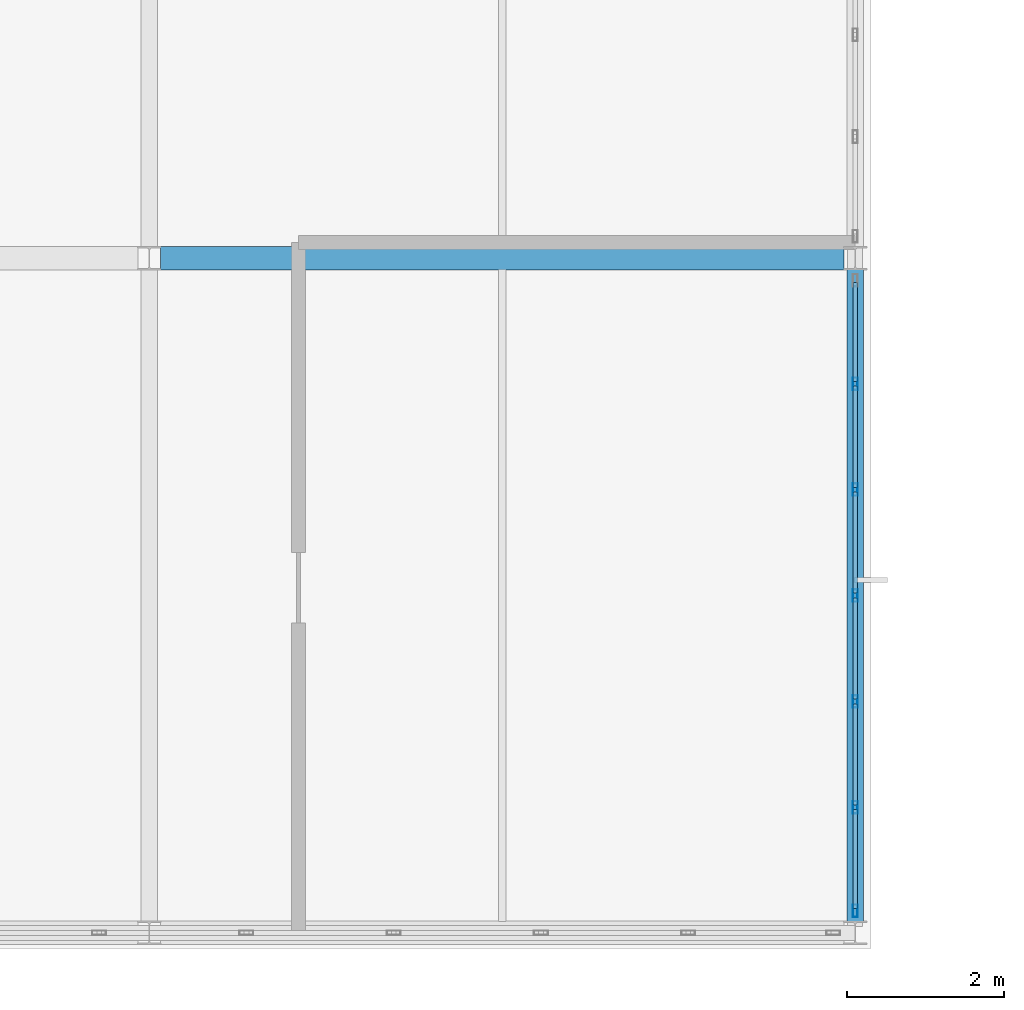
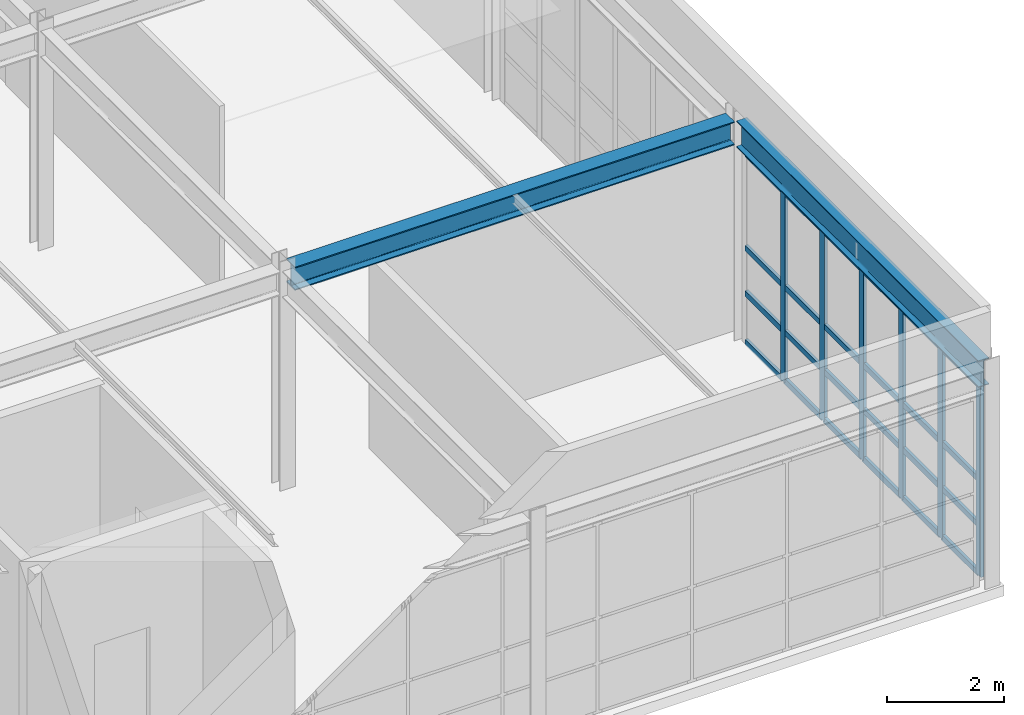
# One storey, part 22 of 38: 30 members, 2 beams, 1 element without a shape of its own.
"""IFC4 building model written with IfcOpenShell, lengths in metres."""

import ifcopenshell
import ifcopenshell.guid

model = None  # the IFC model being written
_history = None  # IfcOwnerHistory: only IFC2X3 demands one
_inside = {}  # id of a spatial element -> (the spatial element, [elements in it])
_under = {}  # id of a project, library or spatial element -> (it, [spatial elements below it])
_declared = {}  # id of a project -> (the project, [libraries it declares])
_typed = {}  # id of a type object -> (the type object, [elements of that type])
_made_of = {}  # id of a material, layer set ... -> (it, [elements and type objects made of it])


def new_model(schema):
    """Start an empty IFC model of exactly this schema.

    Asked for "IFC4X3", IfcOpenShell would pick the latest addendum, in which some entities
    have other attributes; the version numbers below select the first issue.
    IFC2X3 requires an IfcOwnerHistory on every rooted entity: one is made here for all.
    """
    global model, _history
    if schema == "IFC4X3":
        model = ifcopenshell.file(schema_version=(4, 3, 0, 0))
    else:
        model = ifcopenshell.file(schema=schema)
    _inside.clear()
    _under.clear()
    _declared.clear()
    _typed.clear()
    _made_of.clear()
    _history = None
    if model.schema == "IFC2X3":
        org = make("IfcOrganization", Name="unknown")
        user = make(
            "IfcPersonAndOrganization",
            ThePerson=make("IfcPerson", FamilyName="unknown"),
            TheOrganization=org,
        )
        app = make(
            "IfcApplication",
            ApplicationDeveloper=org,
            Version="unknown",
            ApplicationFullName="unknown",
            ApplicationIdentifier="unknown",
        )
        _history = make(
            "IfcOwnerHistory",
            OwningUser=user,
            OwningApplication=app,
            ChangeAction="ADDED",
            CreationDate=0,
        )
    return model


def make(cls, **values):
    """One entity of the class cls with the attributes given. An attribute that is None is left unset."""
    return model.create_entity(
        cls, **{name: value for name, value in values.items() if value is not None}
    )


def rooted(cls, **values):
    """An entity with a GlobalId (a new one), such as an element, a storey or a relation."""
    return make(cls, GlobalId=ifcopenshell.guid.new(), OwnerHistory=_history, **values)


def si_unit(unit_type, name, prefix=None):
    """IfcSIUnit, for example si_unit("LENGTHUNIT", "METRE", prefix="MILLI")."""
    return make("IfcSIUnit", UnitType=unit_type, Prefix=prefix, Name=name)


def assignment(units):
    """IfcUnitAssignment: the units of a project."""
    return None if units is None else make("IfcUnitAssignment", Units=units)


def point(xyz):
    """IfcCartesianPoint."""
    return None if xyz is None else make("IfcCartesianPoint", Coordinates=xyz)


def direction(xyz):
    """IfcDirection."""
    return None if xyz is None else make("IfcDirection", DirectionRatios=xyz)


def frame(location, z_axis=None, x_axis=None):
    """IfcAxis2Placement3D, a coordinate frame: its origin and axes. An axis left out is left unset."""
    return make(
        "IfcAxis2Placement3D",
        Location=point(location),
        Axis=direction(z_axis),
        RefDirection=direction(x_axis),
    )


def frame_2d(location, x_axis=None):
    """IfcAxis2Placement2D, a coordinate frame in the plane: its origin and x axis."""
    return make(
        "IfcAxis2Placement2D", Location=point(location), RefDirection=direction(x_axis)
    )


def origin():
    """The frame at (0, 0, 0) with its axes left unset."""
    return frame((0.0, 0.0, 0.0))


def origin_2d():
    """The frame at (0, 0) in the plane with its x axis left unset."""
    return frame_2d((0.0, 0.0))


def place(relative_to, where):
    """IfcLocalPlacement: puts the frame where relative to a parent placement (None: the world)."""
    return make(
        "IfcLocalPlacement", PlacementRelTo=relative_to, RelativePlacement=where
    )


def context(
    kind, dimensions, precision=None, world=None, true_north=None, identifier=None
):
    """IfcGeometricRepresentationContext, for example the 3D "Model" context."""
    return make(
        "IfcGeometricRepresentationContext",
        ContextIdentifier=identifier,
        ContextType=kind,
        CoordinateSpaceDimension=dimensions,
        Precision=precision,
        WorldCoordinateSystem=world,
        TrueNorth=true_north,
    )


def subcontext(parent, identifier, kind, view, scale=None):
    """IfcGeometricRepresentationSubContext, for example "Body" below "Model"."""
    return make(
        "IfcGeometricRepresentationSubContext",
        ContextIdentifier=identifier,
        ContextType=kind,
        ParentContext=parent,
        TargetScale=scale,
        TargetView=view,
    )


def project(units=None, contexts=None):
    """IfcProject with its units and contexts."""
    return rooted(
        "IfcProject",
        Name="project",
        RepresentationContexts=contexts,
        UnitsInContext=assignment(units),
    )


def spatial(cls, under=None, at=None, **own):
    """A site, building, storey or space (cls), placed at a placement, below another one or the project."""
    s = rooted(cls, ObjectPlacement=at, **own)
    if under is not None:
        _under.setdefault(under.id(), (under, []))[1].append(s)
    return s


def profile(cls, at=None, kind="AREA", **sizes):
    """A parametric profile (cls). Its sizes go by their IFC names, for example OverallWidth=200.0."""
    return make(cls, ProfileType=kind, Position=at, **sizes)


def hollow_rectangle(**sizes):
    """IfcRectangleHollowProfileDef."""
    return profile("IfcRectangleHollowProfileDef", **sizes)


def i_section(**sizes):
    """IfcIShapeProfileDef."""
    return profile("IfcIShapeProfileDef", **sizes)


def extrude(swept, where, along, depth):
    """IfcExtrudedAreaSolid: the profile swept, set in the frame where, extruded along a direction by depth."""
    return make(
        "IfcExtrudedAreaSolid",
        SweptArea=swept,
        Position=where,
        ExtrudedDirection=direction(along),
        Depth=depth,
    )


def shape(context_of_items, identifier, shape_type, items):
    """IfcShapeRepresentation: the items that make up one representation, for example the "Body"."""
    return make(
        "IfcShapeRepresentation",
        ContextOfItems=context_of_items,
        RepresentationIdentifier=identifier,
        RepresentationType=shape_type,
        Items=items,
    )


def material(Name=None, Category=None):
    """IfcMaterial."""
    return make("IfcMaterial", Name=Name, Category=Category)


def material_profile(
    of_material, cross_section, Name=None, Category=None, Priority=None
):
    """IfcMaterialProfile: a cross section and its material."""
    return make(
        "IfcMaterialProfile",
        Name=Name,
        Material=of_material,
        Profile=cross_section,
        Priority=Priority,
        Category=Category,
    )


def profile_set(profiles, Name=None, composite=None):
    """IfcMaterialProfileSet."""
    return make(
        "IfcMaterialProfileSet",
        Name=Name,
        MaterialProfiles=profiles,
        CompositeProfile=composite,
    )


def made_of(thing, what):
    """Note that an element or type object is made of a material, layer set ...; save() writes the relation."""
    if what is not None:
        _made_of.setdefault(what.id(), (what, []))[1].append(thing)
    return thing


def type_object(cls, material=None, **own):
    """A type object (cls), such as IfcWallType, which elements share."""
    return made_of(rooted(cls, **own), material)


def element(
    cls,
    number,
    at=None,
    inside=None,
    cuts=None,
    type_object=None,
    material=None,
    context=None,
    identifier="Body",
    shape_type=None,
    held_by="IfcProductDefinitionShape",
    body=None,
    shapes=None,
    **own,
):
    """One element of the class cls, such as IfcWall. Its Tag is "e" and its number.

    at: its placement. inside: the storey or other place that contains it. cuts: it is an
    opening in that element (IfcRelVoidsElement). A single representation is given by context,
    identifier, shape_type and body (its items); several are given by shapes. held_by: the class
    of the entity that holds the representations. save() writes the other relations.
    """
    e = rooted(cls, Tag="e%d" % number, ObjectPlacement=at, **own)
    if body is not None:
        shapes = [shape(context, identifier, shape_type, body)]
    if shapes is not None:
        e.Representation = make(held_by, Representations=shapes)
    if inside is not None:
        _inside.setdefault(inside.id(), (inside, []))[1].append(e)
    if cuts is not None:
        rooted(
            "IfcRelVoidsElement", RelatingBuildingElement=cuts, RelatedOpeningElement=e
        )
    if type_object is not None:
        _typed.setdefault(type_object.id(), (type_object, []))[1].append(e)
    return made_of(e, material)


def aggregate(whole, parts):
    """IfcRelAggregates: a whole, such as a stair, and the parts it consists of."""
    return rooted("IfcRelAggregates", RelatingObject=whole, RelatedObjects=parts)


def save(model, path):
    """Write the relations noted so far, then the file.

    IfcRelAggregates (storeys below a building ...), IfcRelContainedInSpatialStructure (elements
    in a storey), IfcRelDefinesByType, IfcRelAssociatesMaterial and IfcRelDeclares: one each for
    every whole, place, type object, material and project.
    """
    for whole, parts in _under.values():
        aggregate(whole, parts)
    for where, things in _inside.values():
        rooted(
            "IfcRelContainedInSpatialStructure",
            RelatedElements=things,
            RelatingStructure=where,
        )
    for kind, things in _typed.values():
        rooted("IfcRelDefinesByType", RelatedObjects=things, RelatingType=kind)
    for what, things in _made_of.values():
        rooted("IfcRelAssociatesMaterial", RelatedObjects=things, RelatingMaterial=what)
    for by, libraries in _declared.values():
        rooted("IfcRelDeclares", RelatingContext=by, RelatedDefinitions=libraries)
    model.write(path)


model = new_model("IFC4")

# Units and contexts
model_context = context("Model", 3, precision=1e-05, world=origin(), true_north=direction((0.0, 1.0)))
body_context = subcontext(model_context, "Body", "Model", "MODEL_VIEW")
ifc_project = project(units=[si_unit("LENGTHUNIT", "METRE"), si_unit("AREAUNIT", "SQUARE_METRE"), si_unit("VOLUMEUNIT", "CUBIC_METRE"), si_unit("PLANEANGLEUNIT", "RADIAN"), si_unit("MASSUNIT", "GRAM", prefix="KILO")], contexts=[model_context])

# Site, building, storey
site_placement = place(None, origin())
site = spatial("IfcSite", under=ifc_project, at=site_placement, CompositionType="ELEMENT")
building_placement = place(site_placement, origin())
building = spatial("IfcBuilding", under=site, at=building_placement, Name="Kaldris Quays Convention Centre", CompositionType="ELEMENT")
storey_placement = place(building_placement, frame((0.0, 0.0, 21.60009765625)))
storey = spatial("IfcBuildingStorey", under=building, at=storey_placement, Name="L04", CompositionType="ELEMENT", Elevation=21.60009765625)

# Curtain wall, members
ifc_material_1 = material(Name="Anodized aluminium AW-6060 and triple glazing", Category="aluminium")
curtain_wall_type = type_object("IfcCurtainWallType", Name="UNITISED CURTAIN WALL CW04", PredefinedType="NOTDEFINED", material=ifc_material_1)
curtain_wall_placement = place(storey_placement, origin())
curtain_wall = element("IfcCurtainWall", 1, at=curtain_wall_placement, inside=storey, type_object=curtain_wall_type, Name="L04 Unitised Curtain Wall CW04 149", PredefinedType="NOTDEFINED")
ifc_material_2 = material(Name="Anodized aluminium AW-6060", Category="aluminium")
ifc_material_profile_1 = material_profile(ifc_material_2, hollow_rectangle(XDim=0.06005859375, YDim=0.159912109375, WallThickness=0.00390625, at=origin_2d()), Name="RHS 160x60x4")
ifc_profile_set_1 = profile_set([ifc_material_profile_1], Name="Anodized aluminium AW-6060")
member_type_1 = type_object("IfcMemberType", Name="CURTAIN MULLION CWM1", PredefinedType="MULLION", material=ifc_profile_set_1)
member_1_placement = place(storey_placement, frame((164.0, 38.280029296875, 0.0), z_axis=(0.0, 0.0, 1.0), x_axis=(-1.0, 0.0, 0.0)))
member_1 = element("IfcMember", 2, at=member_1_placement, type_object=member_type_1, Name="CW04 mullion 1", PredefinedType="MULLION", context=body_context, shape_type="SweptSolid", body=[
    extrude(hollow_rectangle(XDim=0.06005859375, YDim=0.159912109375, WallThickness=0.00390625, at=origin_2d()), origin(), (0.0, 0.0, 1.0), 4.0),
])
member_2_placement = place(storey_placement, frame((164.0, 39.60009765625, 0.0), z_axis=(0.0, 0.0, 1.0), x_axis=(-1.0, 0.0, 0.0)))
member_2 = element("IfcMember", 3, at=member_2_placement, type_object=member_type_1, Name="CW04 mullion 2", PredefinedType="MULLION", context=body_context, shape_type="SweptSolid", body=[
    extrude(hollow_rectangle(XDim=0.06005859375, YDim=0.159912109375, WallThickness=0.00390625, at=origin_2d()), origin(), (0.0, 0.0, 1.0), 4.0),
])
member_3_placement = place(storey_placement, frame((164.0, 40.949951171875, 0.0), z_axis=(0.0, 0.0, 1.0), x_axis=(-1.0, 0.0, 0.0)))
member_3 = element("IfcMember", 4, at=member_3_placement, type_object=member_type_1, Name="CW04 mullion 3", PredefinedType="MULLION", context=body_context, shape_type="SweptSolid", body=[
    extrude(hollow_rectangle(XDim=0.06005859375, YDim=0.159912109375, WallThickness=0.00390625, at=origin_2d()), origin(), (0.0, 0.0, 1.0), 4.0),
])
member_4_placement = place(storey_placement, frame((164.0, 42.300048828125, 0.0), z_axis=(0.0, 0.0, 1.0), x_axis=(-1.0, 0.0, 0.0)))
member_4 = element("IfcMember", 5, at=member_4_placement, type_object=member_type_1, Name="CW04 mullion 4", PredefinedType="MULLION", context=body_context, shape_type="SweptSolid", body=[
    extrude(hollow_rectangle(XDim=0.06005859375, YDim=0.159912109375, WallThickness=0.00390625, at=origin_2d()), origin(), (0.0, 0.0, 1.0), 4.0),
])
member_5_placement = place(storey_placement, frame((164.0, 43.64990234375, 0.0), z_axis=(0.0, 0.0, 1.0), x_axis=(-1.0, 0.0, 0.0)))
member_5 = element("IfcMember", 6, at=member_5_placement, type_object=member_type_1, Name="CW04 mullion 5", PredefinedType="MULLION", context=body_context, shape_type="SweptSolid", body=[
    extrude(hollow_rectangle(XDim=0.06005859375, YDim=0.159912109375, WallThickness=0.00390625, at=origin_2d()), origin(), (0.0, 0.0, 1.0), 4.0),
])
member_6_placement = place(storey_placement, frame((164.0, 45.0, 0.0), z_axis=(0.0, 0.0, 1.0), x_axis=(-1.0, 0.0, 0.0)))
member_6 = element("IfcMember", 7, at=member_6_placement, type_object=member_type_1, Name="CW04 mullion 6", PredefinedType="MULLION", context=body_context, shape_type="SweptSolid", body=[
    extrude(hollow_rectangle(XDim=0.06005859375, YDim=0.159912109375, WallThickness=0.00390625, at=origin_2d()), origin(), (0.0, 0.0, 1.0), 4.0),
])
ifc_material_profile_2 = material_profile(ifc_material_2, hollow_rectangle(XDim=0.06005859375, YDim=0.1201171875, WallThickness=0.00390625, at=origin_2d()), Name="RHS 120x60x4")
ifc_profile_set_2 = profile_set([ifc_material_profile_2], Name="Anodized aluminium AW-6060")
member_type_2 = type_object("IfcMemberType", Name="CURTAIN TRANSOM CWT1", PredefinedType="USERDEFINED", material=ifc_profile_set_2)
member_7_placement = place(storey_placement, frame((164.0, 38.31005859375, 0.02978515625), z_axis=(0.0, 1.0, 0.0), x_axis=(-1.0, 0.0, 0.0)))
member_7 = element("IfcMember", 8, at=member_7_placement, type_object=member_type_2, Name="CW04 transom 1.1", ObjectType="TRANSOM", PredefinedType="USERDEFINED", context=body_context, shape_type="SweptSolid", body=[
    extrude(hollow_rectangle(XDim=0.06005859375, YDim=0.1201171875, WallThickness=0.00390625, at=origin_2d()), origin(), (0.0, 0.0, 1.0), 1.260009765625),
])
member_8_placement = place(storey_placement, frame((164.0, 38.31005859375, 1.0498046875), z_axis=(0.0, 1.0, 0.0), x_axis=(-1.0, 0.0, 0.0)))
member_8 = element("IfcMember", 9, at=member_8_placement, type_object=member_type_2, Name="CW04 transom 1.2", ObjectType="TRANSOM", PredefinedType="USERDEFINED", context=body_context, shape_type="SweptSolid", body=[
    extrude(hollow_rectangle(XDim=0.06005859375, YDim=0.1201171875, WallThickness=0.00390625, at=origin_2d()), origin(), (0.0, 0.0, 1.0), 1.260009765625),
])
member_9_placement = place(storey_placement, frame((164.0, 38.31005859375, 2.0), z_axis=(0.0, 1.0, 0.0), x_axis=(-1.0, 0.0, 0.0)))
member_9 = element("IfcMember", 10, at=member_9_placement, type_object=member_type_2, Name="CW04 transom 1.3", ObjectType="TRANSOM", PredefinedType="USERDEFINED", context=body_context, shape_type="SweptSolid", body=[
    extrude(hollow_rectangle(XDim=0.06005859375, YDim=0.1201171875, WallThickness=0.00390625, at=origin_2d()), origin(), (0.0, 0.0, 1.0), 1.260009765625),
])
member_10_placement = place(storey_placement, frame((164.0, 38.31005859375, 3.969970703125), z_axis=(0.0, 1.0, 0.0), x_axis=(-1.0, 0.0, 0.0)))
member_10 = element("IfcMember", 11, at=member_10_placement, type_object=member_type_2, Name="CW04 transom 1.4", ObjectType="TRANSOM", PredefinedType="USERDEFINED", context=body_context, shape_type="SweptSolid", body=[
    extrude(hollow_rectangle(XDim=0.06005859375, YDim=0.1201171875, WallThickness=0.00390625, at=origin_2d()), origin(), (0.0, 0.0, 1.0), 1.260009765625),
])
member_11_placement = place(storey_placement, frame((164.0, 39.6298828125, 0.02978515625), z_axis=(0.0, 1.0, 0.0), x_axis=(-1.0, 0.0, 0.0)))
member_11 = element("IfcMember", 12, at=member_11_placement, type_object=member_type_2, Name="CW04 transom 2.1", ObjectType="TRANSOM", PredefinedType="USERDEFINED", context=body_context, shape_type="SweptSolid", body=[
    extrude(hollow_rectangle(XDim=0.06005859375, YDim=0.1201171875, WallThickness=0.00390625, at=origin_2d()), origin(), (0.0, 0.0, 1.0), 1.2900390625),
])
member_12_placement = place(storey_placement, frame((164.0, 39.6298828125, 1.0498046875), z_axis=(0.0, 1.0, 0.0), x_axis=(-1.0, 0.0, 0.0)))
member_12 = element("IfcMember", 13, at=member_12_placement, type_object=member_type_2, Name="CW04 transom 2.2", ObjectType="TRANSOM", PredefinedType="USERDEFINED", context=body_context, shape_type="SweptSolid", body=[
    extrude(hollow_rectangle(XDim=0.06005859375, YDim=0.1201171875, WallThickness=0.00390625, at=origin_2d()), origin(), (0.0, 0.0, 1.0), 1.2900390625),
])
member_13_placement = place(storey_placement, frame((164.0, 39.6298828125, 2.0), z_axis=(0.0, 1.0, 0.0), x_axis=(-1.0, 0.0, 0.0)))
member_13 = element("IfcMember", 14, at=member_13_placement, type_object=member_type_2, Name="CW04 transom 2.3", ObjectType="TRANSOM", PredefinedType="USERDEFINED", context=body_context, shape_type="SweptSolid", body=[
    extrude(hollow_rectangle(XDim=0.06005859375, YDim=0.1201171875, WallThickness=0.00390625, at=origin_2d()), origin(), (0.0, 0.0, 1.0), 1.2900390625),
])
member_14_placement = place(storey_placement, frame((164.0, 39.6298828125, 3.969970703125), z_axis=(0.0, 1.0, 0.0), x_axis=(-1.0, 0.0, 0.0)))
member_14 = element("IfcMember", 15, at=member_14_placement, type_object=member_type_2, Name="CW04 transom 2.4", ObjectType="TRANSOM", PredefinedType="USERDEFINED", context=body_context, shape_type="SweptSolid", body=[
    extrude(hollow_rectangle(XDim=0.06005859375, YDim=0.1201171875, WallThickness=0.00390625, at=origin_2d()), origin(), (0.0, 0.0, 1.0), 1.2900390625),
])
member_15_placement = place(storey_placement, frame((164.0, 40.97998046875, 0.02978515625), z_axis=(0.0, 1.0, 0.0), x_axis=(-1.0, 0.0, 0.0)))
member_15 = element("IfcMember", 16, at=member_15_placement, type_object=member_type_2, Name="CW04 transom 3.1", ObjectType="TRANSOM", PredefinedType="USERDEFINED", context=body_context, shape_type="SweptSolid", body=[
    extrude(hollow_rectangle(XDim=0.06005859375, YDim=0.1201171875, WallThickness=0.00390625, at=origin_2d()), origin(), (0.0, 0.0, 1.0), 1.2900390625),
])
member_16_placement = place(storey_placement, frame((164.0, 40.97998046875, 1.0498046875), z_axis=(0.0, 1.0, 0.0), x_axis=(-1.0, 0.0, 0.0)))
member_16 = element("IfcMember", 17, at=member_16_placement, type_object=member_type_2, Name="CW04 transom 3.2", ObjectType="TRANSOM", PredefinedType="USERDEFINED", context=body_context, shape_type="SweptSolid", body=[
    extrude(hollow_rectangle(XDim=0.06005859375, YDim=0.1201171875, WallThickness=0.00390625, at=origin_2d()), origin(), (0.0, 0.0, 1.0), 1.2900390625),
])
member_17_placement = place(storey_placement, frame((164.0, 40.97998046875, 2.0), z_axis=(0.0, 1.0, 0.0), x_axis=(-1.0, 0.0, 0.0)))
member_17 = element("IfcMember", 18, at=member_17_placement, type_object=member_type_2, Name="CW04 transom 3.3", ObjectType="TRANSOM", PredefinedType="USERDEFINED", context=body_context, shape_type="SweptSolid", body=[
    extrude(hollow_rectangle(XDim=0.06005859375, YDim=0.1201171875, WallThickness=0.00390625, at=origin_2d()), origin(), (0.0, 0.0, 1.0), 1.2900390625),
])
member_18_placement = place(storey_placement, frame((164.0, 40.97998046875, 3.969970703125), z_axis=(0.0, 1.0, 0.0), x_axis=(-1.0, 0.0, 0.0)))
member_18 = element("IfcMember", 19, at=member_18_placement, type_object=member_type_2, Name="CW04 transom 3.4", ObjectType="TRANSOM", PredefinedType="USERDEFINED", context=body_context, shape_type="SweptSolid", body=[
    extrude(hollow_rectangle(XDim=0.06005859375, YDim=0.1201171875, WallThickness=0.00390625, at=origin_2d()), origin(), (0.0, 0.0, 1.0), 1.2900390625),
])
member_19_placement = place(storey_placement, frame((164.0, 42.330078125, 0.02978515625), z_axis=(0.0, 1.0, 0.0), x_axis=(-1.0, 0.0, 0.0)))
member_19 = element("IfcMember", 20, at=member_19_placement, type_object=member_type_2, Name="CW04 transom 4.1", ObjectType="TRANSOM", PredefinedType="USERDEFINED", context=body_context, shape_type="SweptSolid", body=[
    extrude(hollow_rectangle(XDim=0.06005859375, YDim=0.1201171875, WallThickness=0.00390625, at=origin_2d()), origin(), (0.0, 0.0, 1.0), 1.2900390625),
])
member_20_placement = place(storey_placement, frame((164.0, 42.330078125, 1.0498046875), z_axis=(0.0, 1.0, 0.0), x_axis=(-1.0, 0.0, 0.0)))
member_20 = element("IfcMember", 21, at=member_20_placement, type_object=member_type_2, Name="CW04 transom 4.2", ObjectType="TRANSOM", PredefinedType="USERDEFINED", context=body_context, shape_type="SweptSolid", body=[
    extrude(hollow_rectangle(XDim=0.06005859375, YDim=0.1201171875, WallThickness=0.00390625, at=origin_2d()), origin(), (0.0, 0.0, 1.0), 1.2900390625),
])
member_21_placement = place(storey_placement, frame((164.0, 42.330078125, 2.0), z_axis=(0.0, 1.0, 0.0), x_axis=(-1.0, 0.0, 0.0)))
member_21 = element("IfcMember", 22, at=member_21_placement, type_object=member_type_2, Name="CW04 transom 4.3", ObjectType="TRANSOM", PredefinedType="USERDEFINED", context=body_context, shape_type="SweptSolid", body=[
    extrude(hollow_rectangle(XDim=0.06005859375, YDim=0.1201171875, WallThickness=0.00390625, at=origin_2d()), origin(), (0.0, 0.0, 1.0), 1.2900390625),
])
member_22_placement = place(storey_placement, frame((164.0, 42.330078125, 3.969970703125), z_axis=(0.0, 1.0, 0.0), x_axis=(-1.0, 0.0, 0.0)))
member_22 = element("IfcMember", 23, at=member_22_placement, type_object=member_type_2, Name="CW04 transom 4.4", ObjectType="TRANSOM", PredefinedType="USERDEFINED", context=body_context, shape_type="SweptSolid", body=[
    extrude(hollow_rectangle(XDim=0.06005859375, YDim=0.1201171875, WallThickness=0.00390625, at=origin_2d()), origin(), (0.0, 0.0, 1.0), 1.2900390625),
])
member_23_placement = place(storey_placement, frame((164.0, 43.679931640625, 0.02978515625), z_axis=(0.0, 1.0, 0.0), x_axis=(-1.0, 0.0, 0.0)))
member_23 = element("IfcMember", 24, at=member_23_placement, type_object=member_type_2, Name="CW04 transom 5.1", ObjectType="TRANSOM", PredefinedType="USERDEFINED", context=body_context, shape_type="SweptSolid", body=[
    extrude(hollow_rectangle(XDim=0.06005859375, YDim=0.1201171875, WallThickness=0.00390625, at=origin_2d()), origin(), (0.0, 0.0, 1.0), 1.2900390625),
])
member_24_placement = place(storey_placement, frame((164.0, 43.679931640625, 1.0498046875), z_axis=(0.0, 1.0, 0.0), x_axis=(-1.0, 0.0, 0.0)))
member_24 = element("IfcMember", 25, at=member_24_placement, type_object=member_type_2, Name="CW04 transom 5.2", ObjectType="TRANSOM", PredefinedType="USERDEFINED", context=body_context, shape_type="SweptSolid", body=[
    extrude(hollow_rectangle(XDim=0.06005859375, YDim=0.1201171875, WallThickness=0.00390625, at=origin_2d()), origin(), (0.0, 0.0, 1.0), 1.2900390625),
])
member_25_placement = place(storey_placement, frame((164.0, 43.679931640625, 2.0), z_axis=(0.0, 1.0, 0.0), x_axis=(-1.0, 0.0, 0.0)))
member_25 = element("IfcMember", 26, at=member_25_placement, type_object=member_type_2, Name="CW04 transom 5.3", ObjectType="TRANSOM", PredefinedType="USERDEFINED", context=body_context, shape_type="SweptSolid", body=[
    extrude(hollow_rectangle(XDim=0.06005859375, YDim=0.1201171875, WallThickness=0.00390625, at=origin_2d()), origin(), (0.0, 0.0, 1.0), 1.2900390625),
])
member_26_placement = place(storey_placement, frame((164.0, 43.679931640625, 3.969970703125), z_axis=(0.0, 1.0, 0.0), x_axis=(-1.0, 0.0, 0.0)))
member_26 = element("IfcMember", 27, at=member_26_placement, type_object=member_type_2, Name="CW04 transom 5.4", ObjectType="TRANSOM", PredefinedType="USERDEFINED", context=body_context, shape_type="SweptSolid", body=[
    extrude(hollow_rectangle(XDim=0.06005859375, YDim=0.1201171875, WallThickness=0.00390625, at=origin_2d()), origin(), (0.0, 0.0, 1.0), 1.2900390625),
])
member_27_placement = place(storey_placement, frame((164.0, 45.030029296875, 0.02978515625), z_axis=(0.0, 1.0, 0.0), x_axis=(-1.0, 0.0, 0.0)))
member_27 = element("IfcMember", 28, at=member_27_placement, type_object=member_type_2, Name="CW04 transom 6.1", ObjectType="TRANSOM", PredefinedType="USERDEFINED", context=body_context, shape_type="SweptSolid", body=[
    extrude(hollow_rectangle(XDim=0.06005859375, YDim=0.1201171875, WallThickness=0.00390625, at=origin_2d()), origin(), (0.0, 0.0, 1.0), 1.260009765625),
])
member_28_placement = place(storey_placement, frame((164.0, 45.030029296875, 1.0498046875), z_axis=(0.0, 1.0, 0.0), x_axis=(-1.0, 0.0, 0.0)))
member_28 = element("IfcMember", 29, at=member_28_placement, type_object=member_type_2, Name="CW04 transom 6.2", ObjectType="TRANSOM", PredefinedType="USERDEFINED", context=body_context, shape_type="SweptSolid", body=[
    extrude(hollow_rectangle(XDim=0.06005859375, YDim=0.1201171875, WallThickness=0.00390625, at=origin_2d()), origin(), (0.0, 0.0, 1.0), 1.260009765625),
])
member_29_placement = place(storey_placement, frame((164.0, 45.030029296875, 2.0), z_axis=(0.0, 1.0, 0.0), x_axis=(-1.0, 0.0, 0.0)))
member_29 = element("IfcMember", 30, at=member_29_placement, type_object=member_type_2, Name="CW04 transom 6.3", ObjectType="TRANSOM", PredefinedType="USERDEFINED", context=body_context, shape_type="SweptSolid", body=[
    extrude(hollow_rectangle(XDim=0.06005859375, YDim=0.1201171875, WallThickness=0.00390625, at=origin_2d()), origin(), (0.0, 0.0, 1.0), 1.260009765625),
])
member_30_placement = place(storey_placement, frame((164.0, 45.030029296875, 3.969970703125), z_axis=(0.0, 1.0, 0.0), x_axis=(-1.0, 0.0, 0.0)))
member_30 = element("IfcMember", 31, at=member_30_placement, type_object=member_type_2, Name="CW04 transom 6.4", ObjectType="TRANSOM", PredefinedType="USERDEFINED", context=body_context, shape_type="SweptSolid", body=[
    extrude(hollow_rectangle(XDim=0.06005859375, YDim=0.1201171875, WallThickness=0.00390625, at=origin_2d()), origin(), (0.0, 0.0, 1.0), 1.260009765625),
])
aggregate(curtain_wall, [member_1, member_2, member_3, member_4, member_5, member_6, member_7, member_8, member_9, member_10, member_11, member_12, member_13, member_14, member_15, member_16, member_17, member_18, member_19, member_20, member_21, member_22, member_23, member_24, member_25, member_26, member_27, member_28, member_29, member_30])

# Beams
ifc_material_3 = material(Name="Steel S355J2", Category="steel")
ifc_material_profile_3 = material_profile(ifc_material_3, i_section(OverallWidth=0.300048828125, OverallDepth=0.489990234375, WebThickness=0.011962890625, FlangeThickness=0.02294921875, FilletRadius=0.027099609375, at=origin_2d()), Name="HEA 500")
ifc_profile_set_3 = profile_set([ifc_material_profile_3], Name="Steel S355J2")
beam_type_1 = type_object("IfcBeamType", Name="STRUCTURAL BEAM BM09", PredefinedType="BEAM", material=ifc_profile_set_3)
beam_1_placement = place(storey_placement, frame((155.14404296875, 46.60009765625, 4.347900390625), z_axis=(1.0, 0.0, 0.0), x_axis=(0.0, 1.0, 0.0)))
element("IfcBeam", 32, at=beam_1_placement, inside=storey, type_object=beam_type_1, Name="L04 Girder BM09 16", PredefinedType="BEAM", context=body_context, shape_type="SweptSolid", body=[
    extrude(i_section(OverallWidth=0.300048828125, OverallDepth=0.489990234375, WebThickness=0.011962890625, FlangeThickness=0.02294921875, FilletRadius=0.027099609375, at=origin_2d()), origin(), (0.0, 0.0, 1.0), 8.7119140625),
])
ifc_material_profile_4 = material_profile(ifc_material_3, i_section(OverallWidth=0.2099609375, OverallDepth=0.550048828125, WebThickness=0.010986328125, FlangeThickness=0.01708984375, FilletRadius=0.02392578125, at=origin_2d()), Name="IPE 550")
ifc_profile_set_4 = profile_set([ifc_material_profile_4], Name="Steel S355J2")
beam_type_2 = type_object("IfcBeamType", Name="STRUCTURAL BEAM BM11", PredefinedType="BEAM", material=ifc_profile_set_4)
beam_2_placement = place(storey_placement, frame((164.0, 38.14404296875, 4.31787109375), z_axis=(0.0, 1.0, 0.0), x_axis=(-1.0, 0.0, 0.0)))
element("IfcBeam", 33, at=beam_2_placement, inside=storey, type_object=beam_type_2, Name="L04 Girder BM11 64", PredefinedType="BEAM", context=body_context, shape_type="SweptSolid", body=[
    extrude(i_section(OverallWidth=0.2099609375, OverallDepth=0.550048828125, WebThickness=0.010986328125, FlangeThickness=0.01708984375, FilletRadius=0.02392578125, at=origin_2d()), origin(), (0.0, 0.0, 1.0), 8.31201171875),
])

save(model, "model.ifc")
